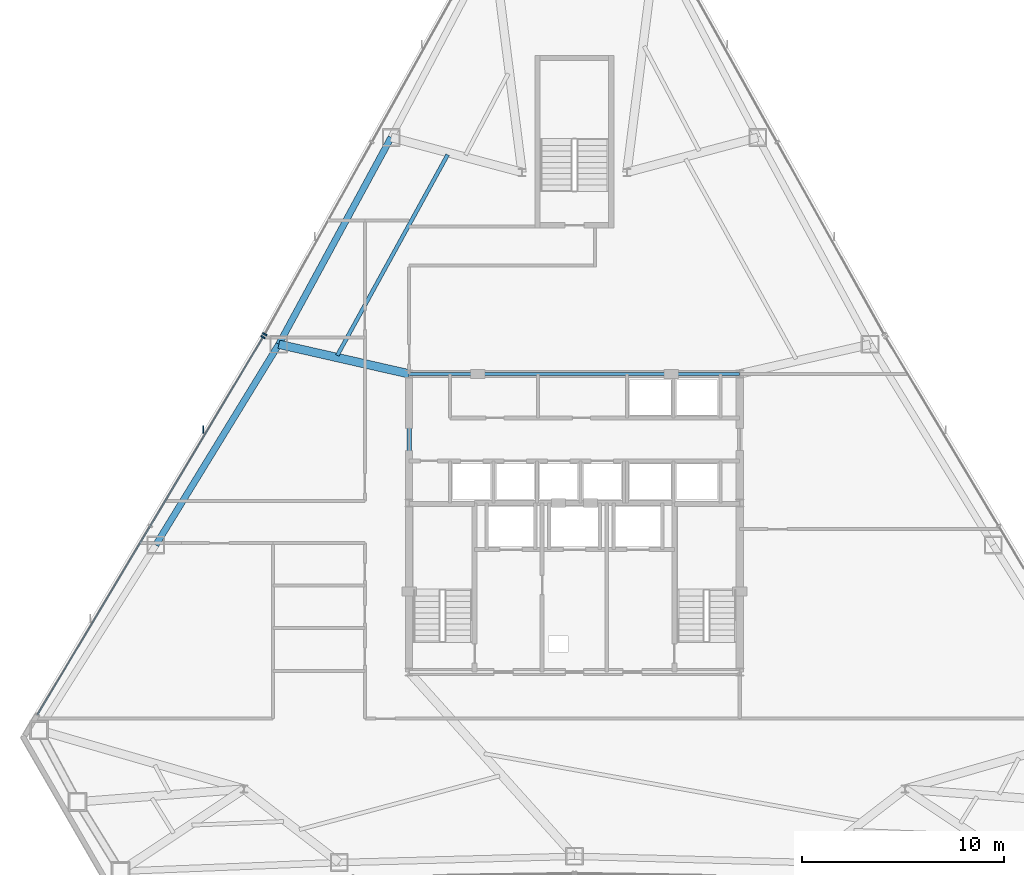
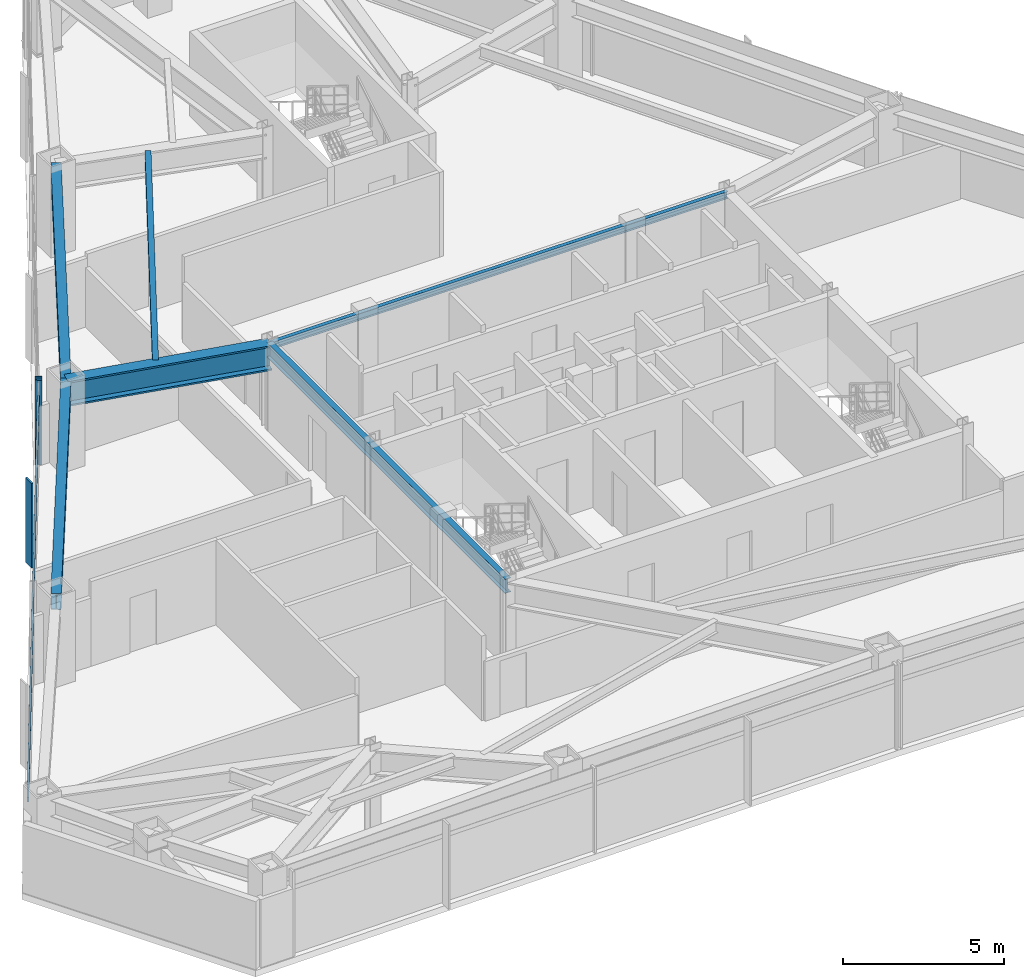
# One storey, part 5 of 11: 6 beams, 4 members, 2 elements without a shape of their own.
"""IFC4 building model written with IfcOpenShell, lengths in metres."""

from ifc_helpers import new_model, si_unit, direction, frame, origin, origin_2d, place, context, subcontext, project, spatial, rectangle, i_section, extrude, source, transform, mapped, material, layer, layer_set, material_profile, profile_set, type_object, type_shapes, element, aggregate, save


model = new_model("IFC4")

# Units and contexts
model_context = context("Model", 3, precision=1e-05, world=origin(), true_north=direction((0.0, 1.0)))
body_context = subcontext(model_context, "Body", "Model", "MODEL_VIEW")
ifc_project = project(units=[si_unit("LENGTHUNIT", "METRE"), si_unit("AREAUNIT", "SQUARE_METRE"), si_unit("VOLUMEUNIT", "CUBIC_METRE"), si_unit("PLANEANGLEUNIT", "RADIAN"), si_unit("MASSUNIT", "GRAM", prefix="KILO")], contexts=[model_context])

# Site, building, storey
site_placement = place(None, origin())
site = spatial("IfcSite", under=ifc_project, at=site_placement, CompositionType="ELEMENT")
building_placement = place(site_placement, origin())
building = spatial("IfcBuilding", under=site, at=building_placement, Name="Varakhsha Concourse Tower", CompositionType="ELEMENT")
storey_placement = place(building_placement, frame((0.0, 0.0, 140.14990234375)))
storey = spatial("IfcBuildingStorey", under=building, at=storey_placement, Name="L40", CompositionType="ELEMENT", Elevation=140.14990234375)

# Beams
ifc_material_1 = material(Name="Structural Steel ASTM A992 Grade 50", Category="steel")
ifc_material_profile_1 = material_profile(ifc_material_1, i_section(OverallWidth=0.19091796875, OverallDepth=0.45703125, WebThickness=0.009033203125, FlangeThickness=0.013916015625, at=origin_2d()), Name="W18X50")
ifc_profile_set_1 = profile_set([ifc_material_profile_1], Name="Structural Steel ASTM A992 Grade 50")
beam_type_1 = type_object("IfcBeamType", Name="BM-JST-W18X50", PredefinedType="JOIST", material=ifc_profile_set_1)
beam_1_placement = place(storey_placement, frame((33.708984375, 42.07470703125, 2.981689453125), z_axis=(-0.482050703663, -0.876143321094, 0.0), x_axis=(0.876143321094, -0.482050703663, 0.0)))
element("IfcBeam", 1, at=beam_1_placement, inside=storey, type_object=beam_type_1, Name="BM-TJST-L40-04", PredefinedType="JOIST", context=body_context, shape_type="SweptSolid", body=[
    extrude(i_section(OverallWidth=0.19091796875, OverallDepth=0.45703125, WebThickness=0.009033203125, FlangeThickness=0.013916015625, at=origin_2d()), origin(), (0.0, 0.0, 1.0), 11.363525390625),
])
ifc_material_profile_2 = material_profile(ifc_material_1, i_section(OverallWidth=0.14697265625, OverallDepth=0.261962890625, WebThickness=0.007080078125, FlangeThickness=0.010986328125, at=origin_2d()), Name="W10X26")
ifc_profile_set_2 = profile_set([ifc_material_profile_2], Name="Structural Steel ASTM A992 Grade 50")
beam_type_2 = type_object("IfcBeamType", Name="BM-LNTL-W10X26", PredefinedType="LINTEL", material=ifc_profile_set_2)
beam_2_placement = place(storey_placement, frame((31.800048828125, 31.199951171875, 3.0791015625), z_axis=(1.0, 0.0, 0.0), x_axis=(0.0, 1.0, 0.0)))
element("IfcBeam", 2, at=beam_2_placement, inside=storey, type_object=beam_type_2, Name="BM-TCORE-L40-CN", PredefinedType="LINTEL", context=body_context, shape_type="SweptSolid", body=[
    extrude(i_section(OverallWidth=0.14697265625, OverallDepth=0.261962890625, WebThickness=0.007080078125, FlangeThickness=0.010986328125, at=origin_2d()), origin(), (0.0, 0.0, 1.0), 16.39990234375),
])
ifc_material_profile_3 = material_profile(ifc_material_1, i_section(OverallWidth=0.423095703125, OverallDepth=0.947998046875, WebThickness=0.0380859375, FlangeThickness=0.06396484375, at=origin_2d()), Name="W36X302")
ifc_profile_set_3 = profile_set([ifc_material_profile_3], Name="Structural Steel ASTM A992 Grade 50")
beam_type_3 = type_object("IfcBeamType", Name="BM-OUTR-W36X302", PredefinedType="USERDEFINED", material=ifc_profile_set_3)
beam_3_placement = place(storey_placement, frame((31.800048828125, 31.199951171875, 2.736083984375), z_axis=(-0.97518598452, 0.221387207388, 0.0), x_axis=(-0.221387207388, -0.97518598452, 0.0)))
element("IfcBeam", 3, at=beam_3_placement, inside=storey, type_object=beam_type_3, Name="L40 Radial Floor Girder 05", ObjectType="GIRDER", PredefinedType="USERDEFINED", context=body_context, shape_type="SweptSolid", body=[
    extrude(i_section(OverallWidth=0.423095703125, OverallDepth=0.947998046875, WebThickness=0.0380859375, FlangeThickness=0.06396484375, at=origin_2d()), origin(), (0.0, 0.0, 1.0), 6.632080078125),
])
ifc_material_profile_4 = material_profile(ifc_material_1, i_section(OverallWidth=0.2109375, OverallDepth=0.5390625, WebThickness=0.011962890625, FlangeThickness=0.01904296875, at=origin_2d()), Name="W21X73")
ifc_profile_set_4 = profile_set([ifc_material_profile_4], Name="Structural Steel ASTM A992 Grade 50")
beam_type_4 = type_object("IfcBeamType", Name="BM-RAD-W21X73", PredefinedType="BEAM", material=ifc_profile_set_4)
beam_4_placement = place(storey_placement, frame((31.800048828125, 16.39990234375, 2.940673828125), z_axis=(0.0, 1.0, 0.0), x_axis=(-1.0, 0.0, 0.0)))
element("IfcBeam", 4, at=beam_4_placement, inside=storey, type_object=beam_type_4, Name="BM-TCORE-L40-CW", PredefinedType="BEAM", context=body_context, shape_type="SweptSolid", body=[
    extrude(i_section(OverallWidth=0.2109375, OverallDepth=0.5390625, WebThickness=0.011962890625, FlangeThickness=0.01904296875, at=origin_2d()), origin(), (0.0, 0.0, 1.0), 14.800048828125),
])
ifc_material_profile_5 = material_profile(ifc_material_1, i_section(OverallWidth=0.323974609375, OverallDepth=0.611083984375, WebThickness=0.012939453125, FlangeThickness=0.01904296875, at=origin_2d()), Name="W24X104")
ifc_profile_set_5 = profile_set([ifc_material_profile_5], Name="Structural Steel ASTM A992 Grade 50")
beam_type_5 = type_object("IfcBeamType", Name="BM-SPAN-W24X104", PredefinedType="SPANDREL", material=ifc_profile_set_5)
beam_5_placement = place(storey_placement, frame((30.90380859375, 42.933837890625, 2.904541015625), z_axis=(-0.476994069137, -0.878906512667, 0.0), x_axis=(0.878906512667, -0.476994069137, 0.0)))
element("IfcBeam", 5, at=beam_5_placement, inside=storey, type_object=beam_type_5, Name="BM-SPAN-L40-04", PredefinedType="SPANDREL", context=body_context, shape_type="SweptSolid", body=[
    extrude(i_section(OverallWidth=0.323974609375, OverallDepth=0.611083984375, WebThickness=0.012939453125, FlangeThickness=0.01904296875, at=origin_2d()), origin(), (0.0, 0.0, 1.0), 11.679931640625),
])
beam_6_placement = place(storey_placement, frame((25.33251953125, 32.668212890625, 2.904541015625), z_axis=(-0.522655184814, -0.852544167646, 0.0), x_axis=(0.852544167646, -0.522655184814, 0.0)))
element("IfcBeam", 6, at=beam_6_placement, inside=storey, type_object=beam_type_5, Name="BM-SPAN-L40-05", PredefinedType="SPANDREL", context=body_context, shape_type="SweptSolid", body=[
    extrude(i_section(OverallWidth=0.323974609375, OverallDepth=0.611083984375, WebThickness=0.012939453125, FlangeThickness=0.01904296875, at=origin_2d()), origin(), (0.0, 0.0, 1.0), 11.6796875),
])

# Curtain wall, member
ifc_material_2 = material(Name="Anodised Bronze Architectural Aluminium AA 6063-T6", Category="aluminium")
ifc_layer = layer(ifc_material_2, 0.2099609375, Name="CW-SYS-04")
ifc_layer_set = layer_set([ifc_layer], Name="Anodised Bronze Architectural Aluminium AA 6063-T6")
curtain_wall_type = type_object("IfcCurtainWallType", Name="CW-SYS-04", PredefinedType="NOTDEFINED", material=ifc_layer_set)
curtain_wall_1_placement = place(storey_placement, origin())
curtain_wall_1 = element("IfcCurtainWall", 7, at=curtain_wall_1_placement, inside=storey, type_object=curtain_wall_type, Name="L40 Crystal Curtain Wall F2", PredefinedType="NOTDEFINED")
ifc_material_profile_6 = material_profile(ifc_material_2, rectangle(XDim=0.074951171875, YDim=0.219970703125, at=origin_2d()), Name="CWM-220X75")
ifc_profile_set_6 = profile_set([ifc_material_profile_6], Name="Anodised Bronze Architectural Aluminium AA 6063-T6")
member_type_1 = type_object("IfcMemberType", Name="CWM-220X75", PredefinedType="MULLION", material=ifc_profile_set_6)
shared_shape_1 = source(origin(), body_context, "Body", "SweptSolid", [
    extrude(rectangle(XDim=0.074951171875, YDim=0.219970703125, at=origin_2d()), origin(), (0.0, 0.0, 1.0), 3.210205078125),
])
type_shapes(member_type_1, [shared_shape_1])
member_1_placement = place(storey_placement, frame((24.634765625, 33.166259765625, 0.0), z_axis=(0.0, 0.0, 1.0), x_axis=(0.48689953646, 0.873457979181, 0.0)))
member_1 = element("IfcMember", 8, at=member_1_placement, type_object=member_type_1, Name="CW-L40-F2 Mullion 00", PredefinedType="MULLION", context=body_context, shape_type="MappedRepresentation", body=[
    mapped(shared_shape_1, transform((0.0, 0.0, 0.0), scale=1.0)),
])
aggregate(curtain_wall_1, [member_1])

# Curtain wall, members
curtain_wall_2_placement = place(storey_placement, origin())
curtain_wall_2 = element("IfcCurtainWall", 9, at=curtain_wall_2_placement, inside=storey, type_object=curtain_wall_type, Name="L40 Crystal Curtain Wall F3", PredefinedType="NOTDEFINED")
member_2_placement = place(storey_placement, frame((24.55224609375, 33.023681640625, 0.0), z_axis=(0.0, 0.0, 1.0), x_axis=(0.512984034508, 0.858398147913, 0.0)))
member_2 = element("IfcMember", 10, at=member_2_placement, type_object=member_type_1, Name="CW-L40-F3 Mullion 02", PredefinedType="MULLION", context=body_context, shape_type="MappedRepresentation", body=[
    mapped(shared_shape_1, transform((0.0, 0.0, 0.0), scale=1.0)),
])
ifc_material_profile_7 = material_profile(ifc_material_2, rectangle(XDim=0.06494140625, YDim=0.159912109375, at=origin_2d()), Name="CWT-160X65")
ifc_profile_set_7 = profile_set([ifc_material_profile_7], Name="Anodised Bronze Architectural Aluminium AA 6063-T6")
member_type_2 = type_object("IfcMemberType", Name="CWT-160X65", PredefinedType="USERDEFINED", material=ifc_profile_set_7)
shared_shape_2 = source(origin(), body_context, "Body", "SweptSolid", [
    extrude(rectangle(XDim=0.06494140625, YDim=0.159912109375, at=origin_2d()), origin(), (0.0, 0.0, 1.0), 21.827880859375),
])
type_shapes(member_type_2, [shared_shape_2])
member_3_placement = place(storey_placement, frame((13.35498046875, 14.28662109375, 2.56005859375), z_axis=(0.512980068893, 0.858400517776, 0.0), x_axis=(-0.858400517776, 0.512980068893, 0.0)))
member_3 = element("IfcMember", 11, at=member_3_placement, type_object=member_type_2, Name="CW-L40-F3 Transom 01", ObjectType="TRANSOM", PredefinedType="USERDEFINED", context=body_context, shape_type="MappedRepresentation", body=[
    mapped(shared_shape_2, transform((0.0, 0.0, 0.0), scale=1.0)),
])
ifc_material_profile_8 = material_profile(ifc_material_2, rectangle(XDim=0.06005859375, YDim=0.3798828125, at=origin_2d()), Name="FIN-BRZ-380")
ifc_profile_set_8 = profile_set([ifc_material_profile_8], Name="Anodised Bronze Architectural Aluminium AA 6063-T6")
member_type_3 = type_object("IfcMemberType", Name="FIN-BRZ-380", PredefinedType="USERDEFINED", material=ifc_profile_set_8)
shared_shape_3 = source(origin(), body_context, "Body", "SweptSolid", [
    extrude(rectangle(XDim=0.06005859375, YDim=0.3798828125, at=origin_2d()), origin(), (0.0, 0.0, 1.0), 3.210205078125),
])
type_shapes(member_type_3, [shared_shape_3])
member_4_placement = place(storey_placement, frame((21.576904296875, 28.444580078125, 0.0), z_axis=(0.0, 0.0, 1.0), x_axis=(1.0, 0.0, 0.0)))
member_4 = element("IfcMember", 12, at=member_4_placement, type_object=member_type_3, Name="L40 Anodised Bronze Solar Fin F3-2", ObjectType="SOLAR FIN", PredefinedType="USERDEFINED", context=body_context, shape_type="MappedRepresentation", body=[
    mapped(shared_shape_3, transform((0.0, 0.0, 0.0), scale=1.0)),
])
aggregate(curtain_wall_2, [member_2, member_3, member_4])

save(model, "model.ifc")
